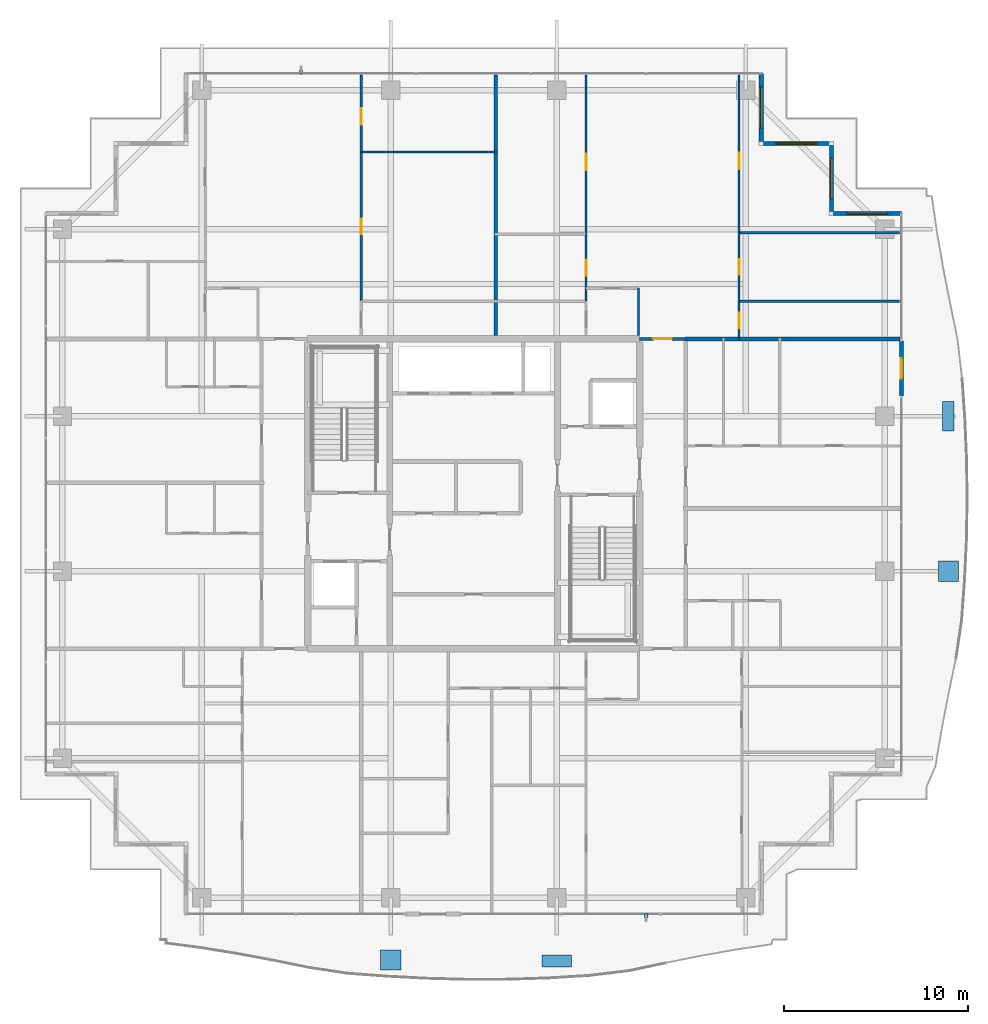
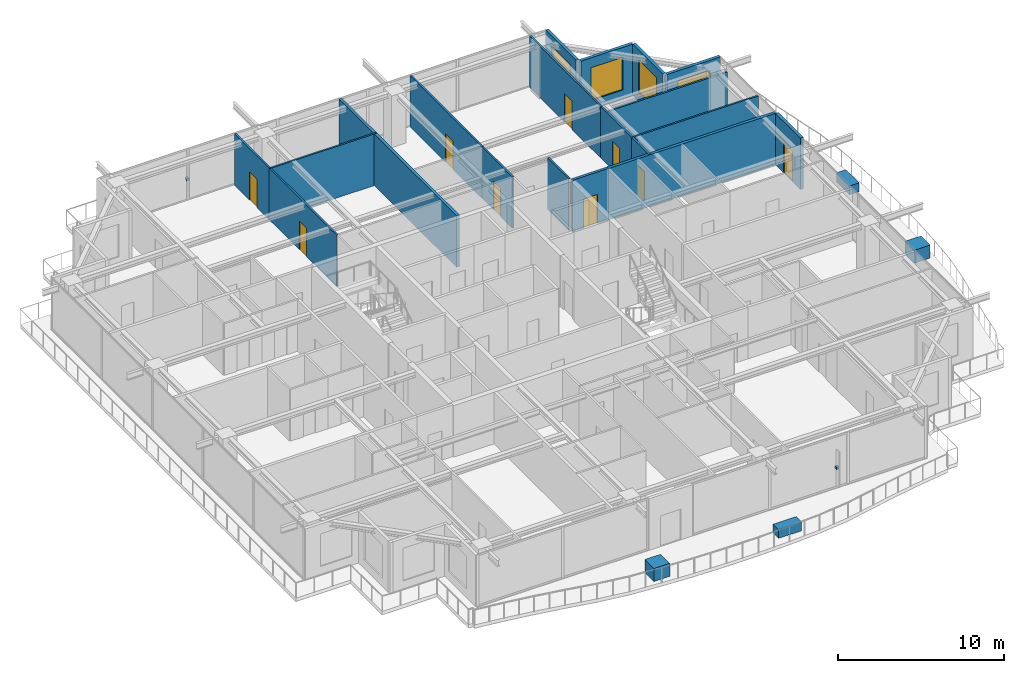
# One storey, part 35 of 42: 19 walls, 9 doors, 6 discrete accessories, 4 windows, 13 openings.
"""IFC4 building model written with IfcOpenShell, lengths in metres."""

import ifcopenshell
import ifcopenshell.guid

model = None  # the IFC model being written
_history = None  # IfcOwnerHistory: only IFC2X3 demands one
_inside = {}  # id of a spatial element -> (the spatial element, [elements in it])
_under = {}  # id of a project, library or spatial element -> (it, [spatial elements below it])
_declared = {}  # id of a project -> (the project, [libraries it declares])
_typed = {}  # id of a type object -> (the type object, [elements of that type])
_made_of = {}  # id of a material, layer set ... -> (it, [elements and type objects made of it])


def new_model(schema):
    """Start an empty IFC model of exactly this schema.

    Asked for "IFC4X3", IfcOpenShell would pick the latest addendum, in which some entities
    have other attributes; the version numbers below select the first issue.
    IFC2X3 requires an IfcOwnerHistory on every rooted entity: one is made here for all.
    """
    global model, _history
    if schema == "IFC4X3":
        model = ifcopenshell.file(schema_version=(4, 3, 0, 0))
    else:
        model = ifcopenshell.file(schema=schema)
    _inside.clear()
    _under.clear()
    _declared.clear()
    _typed.clear()
    _made_of.clear()
    _history = None
    if model.schema == "IFC2X3":
        org = make("IfcOrganization", Name="unknown")
        user = make(
            "IfcPersonAndOrganization",
            ThePerson=make("IfcPerson", FamilyName="unknown"),
            TheOrganization=org,
        )
        app = make(
            "IfcApplication",
            ApplicationDeveloper=org,
            Version="unknown",
            ApplicationFullName="unknown",
            ApplicationIdentifier="unknown",
        )
        _history = make(
            "IfcOwnerHistory",
            OwningUser=user,
            OwningApplication=app,
            ChangeAction="ADDED",
            CreationDate=0,
        )
    return model


def make(cls, **values):
    """One entity of the class cls with the attributes given. An attribute that is None is left unset."""
    return model.create_entity(
        cls, **{name: value for name, value in values.items() if value is not None}
    )


def rooted(cls, **values):
    """An entity with a GlobalId (a new one), such as an element, a storey or a relation."""
    return make(cls, GlobalId=ifcopenshell.guid.new(), OwnerHistory=_history, **values)


def si_unit(unit_type, name, prefix=None):
    """IfcSIUnit, for example si_unit("LENGTHUNIT", "METRE", prefix="MILLI")."""
    return make("IfcSIUnit", UnitType=unit_type, Prefix=prefix, Name=name)


def assignment(units):
    """IfcUnitAssignment: the units of a project."""
    return None if units is None else make("IfcUnitAssignment", Units=units)


def point(xyz):
    """IfcCartesianPoint."""
    return None if xyz is None else make("IfcCartesianPoint", Coordinates=xyz)


def direction(xyz):
    """IfcDirection."""
    return None if xyz is None else make("IfcDirection", DirectionRatios=xyz)


def frame(location, z_axis=None, x_axis=None):
    """IfcAxis2Placement3D, a coordinate frame: its origin and axes. An axis left out is left unset."""
    return make(
        "IfcAxis2Placement3D",
        Location=point(location),
        Axis=direction(z_axis),
        RefDirection=direction(x_axis),
    )


def frame_2d(location, x_axis=None):
    """IfcAxis2Placement2D, a coordinate frame in the plane: its origin and x axis."""
    return make(
        "IfcAxis2Placement2D", Location=point(location), RefDirection=direction(x_axis)
    )


def origin():
    """The frame at (0, 0, 0) with its axes left unset."""
    return frame((0.0, 0.0, 0.0))


def origin_2d():
    """The frame at (0, 0) in the plane with its x axis left unset."""
    return frame_2d((0.0, 0.0))


def place(relative_to, where):
    """IfcLocalPlacement: puts the frame where relative to a parent placement (None: the world)."""
    return make(
        "IfcLocalPlacement", PlacementRelTo=relative_to, RelativePlacement=where
    )


def context(
    kind, dimensions, precision=None, world=None, true_north=None, identifier=None
):
    """IfcGeometricRepresentationContext, for example the 3D "Model" context."""
    return make(
        "IfcGeometricRepresentationContext",
        ContextIdentifier=identifier,
        ContextType=kind,
        CoordinateSpaceDimension=dimensions,
        Precision=precision,
        WorldCoordinateSystem=world,
        TrueNorth=true_north,
    )


def subcontext(parent, identifier, kind, view, scale=None):
    """IfcGeometricRepresentationSubContext, for example "Body" below "Model"."""
    return make(
        "IfcGeometricRepresentationSubContext",
        ContextIdentifier=identifier,
        ContextType=kind,
        ParentContext=parent,
        TargetScale=scale,
        TargetView=view,
    )


def project(units=None, contexts=None):
    """IfcProject with its units and contexts."""
    return rooted(
        "IfcProject",
        Name="project",
        RepresentationContexts=contexts,
        UnitsInContext=assignment(units),
    )


def spatial(cls, under=None, at=None, **own):
    """A site, building, storey or space (cls), placed at a placement, below another one or the project."""
    s = rooted(cls, ObjectPlacement=at, **own)
    if under is not None:
        _under.setdefault(under.id(), (under, []))[1].append(s)
    return s


def profile(cls, at=None, kind="AREA", **sizes):
    """A parametric profile (cls). Its sizes go by their IFC names, for example OverallWidth=200.0."""
    return make(cls, ProfileType=kind, Position=at, **sizes)


def rectangle(**sizes):
    """IfcRectangleProfileDef."""
    return profile("IfcRectangleProfileDef", **sizes)


def extrude(swept, where, along, depth):
    """IfcExtrudedAreaSolid: the profile swept, set in the frame where, extruded along a direction by depth."""
    return make(
        "IfcExtrudedAreaSolid",
        SweptArea=swept,
        Position=where,
        ExtrudedDirection=direction(along),
        Depth=depth,
    )


def shape(context_of_items, identifier, shape_type, items):
    """IfcShapeRepresentation: the items that make up one representation, for example the "Body"."""
    return make(
        "IfcShapeRepresentation",
        ContextOfItems=context_of_items,
        RepresentationIdentifier=identifier,
        RepresentationType=shape_type,
        Items=items,
    )


def source(mapping_origin, context_of_items, identifier, shape_type, items):
    """IfcRepresentationMap: a shape defined once, which mapped items show again and again."""
    return make(
        "IfcRepresentationMap",
        MappingOrigin=mapping_origin,
        MappedRepresentation=shape(context_of_items, identifier, shape_type, items),
    )


def transform(
    local_origin,
    x_axis=None,
    y_axis=None,
    z_axis=None,
    scale=None,
    scale2=None,
    scale3=None,
    uniform=True,
):
    """IfcCartesianTransformationOperator3D, or its non-uniform kind. x_axis, y_axis, z_axis: its Axis1, 2, 3."""
    if uniform:
        return make(
            "IfcCartesianTransformationOperator3D",
            Axis1=direction(x_axis),
            Axis2=direction(y_axis),
            LocalOrigin=point(local_origin),
            Scale=scale,
            Axis3=direction(z_axis),
        )
    return make(
        "IfcCartesianTransformationOperator3DnonUniform",
        Axis1=direction(x_axis),
        Axis2=direction(y_axis),
        LocalOrigin=point(local_origin),
        Scale=scale,
        Axis3=direction(z_axis),
        Scale2=scale2,
        Scale3=scale3,
    )


def mapped(mapping_source, mapping_target):
    """IfcMappedItem: shows the shape of a source again, moved by a transform."""
    return make(
        "IfcMappedItem", MappingSource=mapping_source, MappingTarget=mapping_target
    )


def material(Name=None, Category=None):
    """IfcMaterial."""
    return make("IfcMaterial", Name=Name, Category=Category)


def layer(
    of_material, thickness, ventilated=None, Name=None, Category=None, Priority=None
):
    """IfcMaterialLayer: one layer of a wall or slab, of a material (None: an air gap)."""
    return make(
        "IfcMaterialLayer",
        Material=of_material,
        LayerThickness=thickness,
        IsVentilated=ventilated,
        Name=Name,
        Category=Category,
        Priority=Priority,
    )


def layer_set(layers, Name=None):
    """IfcMaterialLayerSet."""
    return make("IfcMaterialLayerSet", MaterialLayers=layers, LayerSetName=Name)


def made_of(thing, what):
    """Note that an element or type object is made of a material, layer set ...; save() writes the relation."""
    if what is not None:
        _made_of.setdefault(what.id(), (what, []))[1].append(thing)
    return thing


def type_object(cls, material=None, **own):
    """A type object (cls), such as IfcWallType, which elements share."""
    return made_of(rooted(cls, **own), material)


def element(
    cls,
    number,
    at=None,
    inside=None,
    cuts=None,
    type_object=None,
    material=None,
    context=None,
    identifier="Body",
    shape_type=None,
    held_by="IfcProductDefinitionShape",
    body=None,
    shapes=None,
    **own,
):
    """One element of the class cls, such as IfcWall. Its Tag is "e" and its number.

    at: its placement. inside: the storey or other place that contains it. cuts: it is an
    opening in that element (IfcRelVoidsElement). A single representation is given by context,
    identifier, shape_type and body (its items); several are given by shapes. held_by: the class
    of the entity that holds the representations. save() writes the other relations.
    """
    e = rooted(cls, Tag="e%d" % number, ObjectPlacement=at, **own)
    if body is not None:
        shapes = [shape(context, identifier, shape_type, body)]
    if shapes is not None:
        e.Representation = make(held_by, Representations=shapes)
    if inside is not None:
        _inside.setdefault(inside.id(), (inside, []))[1].append(e)
    if cuts is not None:
        rooted(
            "IfcRelVoidsElement", RelatingBuildingElement=cuts, RelatedOpeningElement=e
        )
    if type_object is not None:
        _typed.setdefault(type_object.id(), (type_object, []))[1].append(e)
    return made_of(e, material)


def fill(opening, filler):
    """IfcRelFillsElement: the door or window that sits in an opening."""
    return rooted(
        "IfcRelFillsElement",
        RelatingOpeningElement=opening,
        RelatedBuildingElement=filler,
    )


def aggregate(whole, parts):
    """IfcRelAggregates: a whole, such as a stair, and the parts it consists of."""
    return rooted("IfcRelAggregates", RelatingObject=whole, RelatedObjects=parts)


def save(model, path):
    """Write the relations noted so far, then the file.

    IfcRelAggregates (storeys below a building ...), IfcRelContainedInSpatialStructure (elements
    in a storey), IfcRelDefinesByType, IfcRelAssociatesMaterial and IfcRelDeclares: one each for
    every whole, place, type object, material and project.
    """
    for whole, parts in _under.values():
        aggregate(whole, parts)
    for where, things in _inside.values():
        rooted(
            "IfcRelContainedInSpatialStructure",
            RelatedElements=things,
            RelatingStructure=where,
        )
    for kind, things in _typed.values():
        rooted("IfcRelDefinesByType", RelatedObjects=things, RelatingType=kind)
    for what, things in _made_of.values():
        rooted("IfcRelAssociatesMaterial", RelatedObjects=things, RelatingMaterial=what)
    for by, libraries in _declared.values():
        rooted("IfcRelDeclares", RelatingContext=by, RelatedDefinitions=libraries)
    model.write(path)


model = new_model("IFC4")

# Units and contexts
model_context = context("Model", 3, precision=1e-05, world=origin(), true_north=direction((0.0, 1.0)))
body_context = subcontext(model_context, "Body", "Model", "MODEL_VIEW")
ifc_project = project(units=[si_unit("LENGTHUNIT", "METRE"), si_unit("AREAUNIT", "SQUARE_METRE"), si_unit("VOLUMEUNIT", "CUBIC_METRE"), si_unit("PLANEANGLEUNIT", "RADIAN"), si_unit("MASSUNIT", "GRAM", prefix="KILO")], contexts=[model_context])

# Site, building, storey
site_placement = place(None, origin())
site = spatial("IfcSite", under=ifc_project, at=site_placement, CompositionType="ELEMENT")
building_placement = place(site_placement, origin())
building = spatial("IfcBuilding", under=site, at=building_placement, Name="Serunith Strait Residences", CompositionType="ELEMENT")
storey_placement = place(building_placement, frame((0.0, 0.0, 325.85009765625)))
storey = spatial("IfcBuildingStorey", under=building, at=storey_placement, Name="L81", CompositionType="ELEMENT", Elevation=325.85009765625)

# Wall, opening, door
ifc_material_1 = material(Name="Pale-Champagne Aluminium Insulated Panel", Category="aluminium")
ifc_layer_1 = layer(ifc_material_1, 0.219970703125, Name="Pale-Champagne Aluminium Insulated Panel")
ifc_layer_set_1 = layer_set([ifc_layer_1], Name="Pale-Champagne Aluminium Insulated Panel")
wall_type_1 = type_object("IfcWallType", Name="EW-ALUM-220", PredefinedType="ELEMENTEDWALL", material=ifc_layer_set_1)
wall_1_placement = place(storey_placement, frame((55.60009765625, 30.5, 0.0), z_axis=(0.0, 0.0, 1.0), x_axis=(0.0, 1.0, 0.0)))
wall_1 = element("IfcWall", 1, at=wall_1_placement, inside=storey, type_object=wall_type_1, Name="L81 E Facade Pier Wall", PredefinedType="ELEMENTEDWALL", context=body_context, shape_type="SweptSolid", body=[
    extrude(rectangle(XDim=3.0, YDim=0.219970703125, at=frame_2d((1.5, 0.0))), origin(), (0.0, 0.0, 1.0), 3.77490234375),
])
opening_1_placement = place(wall_1_placement, frame((0.949951171875, 0.0, 0.0)))
opening_1 = element("IfcOpeningElement", 2, at=opening_1_placement, cuts=wall_1, Name="Opening ED-03", PredefinedType="OPENING", context=body_context, shape_type="SweptSolid", body=[
    extrude(rectangle(XDim=1.10009765625, YDim=2.199951171875, at=frame_2d((0.550048828125, 1.10009765625))), frame((0.0, 0.1201171875, 0.0), z_axis=(0.0, -1.0, 0.0), x_axis=(1.0, 0.0, 0.0)), (0.0, 0.0, 1.0), 0.239990234375),
])
ifc_material_2 = material(Name="Thermally-Broken Aluminium Glazed Balcony Door", Category="aluminium")
door_type_1 = type_object("IfcDoorType", Name="ED-BALC-1100", OperationType="NOTDEFINED", PredefinedType="DOOR", material=ifc_material_2)
shared_shape_1 = source(origin(), body_context, "Body", "SweptSolid", [
    extrude(rectangle(XDim=1.10009765625, YDim=2.199951171875, at=frame_2d((0.550048828125, 1.10009765625))), frame((0.0, 0.02490234375, 0.0), z_axis=(0.0, -1.0, 0.0), x_axis=(1.0, 0.0, 0.0)), (0.0, 0.0, 1.0), 0.050048828125),
])
door_1_placement = place(opening_1_placement, origin())
door_1 = element("IfcDoor", 3, at=door_1_placement, inside=storey, type_object=door_type_1, Name="L81 E Vertical-Forest Balcony Door", OperationType="SINGLE_SWING_RIGHT", OverallHeight=2.199951171875, OverallWidth=1.10009765625, PredefinedType="DOOR", context=body_context, shape_type="MappedRepresentation", body=[
    mapped(shared_shape_1, transform((0.0, 0.0, 0.0), scale=1.0)),
])
fill(opening_1, door_1)

# Wall, opening, window
wall_2_placement = place(storey_placement, frame((55.60009765625, 40.39990234375, 0.0), z_axis=(0.0, 0.0, 1.0), x_axis=(-1.0, 0.0, 0.0)))
wall_2 = element("IfcWall", 4, at=wall_2_placement, inside=storey, type_object=wall_type_1, Name="L81 Girih Serrated Corner Wall 07", PredefinedType="ELEMENTEDWALL", context=body_context, shape_type="SweptSolid", body=[
    extrude(rectangle(XDim=3.690185546875, YDim=0.219970703125, at=frame_2d((1.84521484375, 0.0))), origin(), (0.0, 0.0, 1.0), 3.77490234375),
])
opening_2_placement = place(wall_2_placement, frame((0.7451171875, 0.0, 0.64990234375)))
opening_2 = element("IfcOpeningElement", 5, at=opening_2_placement, cuts=wall_2, Name="Opening W-06", PredefinedType="OPENING", context=body_context, shape_type="SweptSolid", body=[
    extrude(rectangle(XDim=2.199951171875, YDim=2.39990234375, at=frame_2d((1.10009765625, 1.199951171875))), frame((0.0, 0.1201171875, 0.0), z_axis=(0.0, -1.0, 0.0), x_axis=(1.0, 0.0, 0.0)), (0.0, 0.0, 1.0), 0.239990234375),
])
ifc_material_3 = material(Name="Crown Penthouse Low-E Operable Window Glass", Category="glass")
window_type = type_object("IfcWindowType", Name="WIN-C6", PartitioningType="TRIPLE_PANEL_VERTICAL", PredefinedType="WINDOW", material=ifc_material_3)
shared_shape_2 = source(origin(), body_context, "Body", "SweptSolid", [
    extrude(rectangle(XDim=2.199951171875, YDim=2.39990234375, at=frame_2d((1.10009765625, 1.199951171875))), frame((0.0, 0.030029296875, 0.0), z_axis=(0.0, -1.0, 0.0), x_axis=(1.0, 0.0, 0.0)), (0.0, 0.0, 1.0), 0.06005859375),
])
window_1_placement = place(opening_2_placement, origin())
window_1 = element("IfcWindow", 6, at=window_1_placement, inside=storey, type_object=window_type, Name="L81 Corner Operable Fritted Window 07", OverallHeight=2.39990234375, OverallWidth=2.199951171875, PartitioningType="SINGLE_PANEL", PredefinedType="WINDOW", context=body_context, shape_type="MappedRepresentation", body=[
    mapped(shared_shape_2, transform((0.0, 0.0, 0.0), scale=1.0)),
])
fill(opening_2, window_1)

wall_3_placement = place(storey_placement, frame((51.800048828125, 40.510009765625, 0.0), z_axis=(0.0, 0.0, 1.0), x_axis=(0.0, 1.0, 0.0)))
wall_3 = element("IfcWall", 7, at=wall_3_placement, inside=storey, type_object=wall_type_1, Name="L81 Girih Serrated Corner Wall 08", PredefinedType="ELEMENTEDWALL", context=body_context, shape_type="SweptSolid", body=[
    extrude(rectangle(XDim=3.580078125, YDim=0.219970703125, at=frame_2d((1.7900390625, 0.0))), origin(), (0.0, 0.0, 1.0), 3.77490234375),
])
opening_3_placement = place(wall_3_placement, frame((0.68994140625, 0.0, 0.64990234375)))
opening_3 = element("IfcOpeningElement", 8, at=opening_3_placement, cuts=wall_3, Name="Opening W-06", PredefinedType="OPENING", context=body_context, shape_type="SweptSolid", body=[
    extrude(rectangle(XDim=2.199951171875, YDim=2.39990234375, at=frame_2d((1.10009765625, 1.199951171875))), frame((0.0, 0.1201171875, 0.0), z_axis=(0.0, -1.0, 0.0), x_axis=(1.0, 0.0, 0.0)), (0.0, 0.0, 1.0), 0.239990234375),
])
window_2_placement = place(opening_3_placement, origin())
window_2 = element("IfcWindow", 9, at=window_2_placement, inside=storey, type_object=window_type, Name="L81 Corner Operable Fritted Window 08", OverallHeight=2.39990234375, OverallWidth=2.199951171875, PartitioningType="SINGLE_PANEL", PredefinedType="WINDOW", context=body_context, shape_type="MappedRepresentation", body=[
    mapped(shared_shape_2, transform((0.0, 0.0, 0.0), scale=1.0)),
])
fill(opening_3, window_2)

wall_4_placement = place(storey_placement, frame((51.68994140625, 44.199951171875, 0.0), z_axis=(0.0, 0.0, 1.0), x_axis=(-1.0, 0.0, 0.0)))
wall_4 = element("IfcWall", 10, at=wall_4_placement, inside=storey, type_object=wall_type_1, Name="L81 Girih Serrated Corner Wall 09", PredefinedType="ELEMENTEDWALL", context=body_context, shape_type="SweptSolid", body=[
    extrude(rectangle(XDim=3.579833984375, YDim=0.219970703125, at=frame_2d((1.7900390625, 0.0))), origin(), (0.0, 0.0, 1.0), 3.77490234375),
])
opening_4_placement = place(wall_4_placement, frame((0.68994140625, 0.0, 0.64990234375)))
opening_4 = element("IfcOpeningElement", 11, at=opening_4_placement, cuts=wall_4, Name="Opening W-06", PredefinedType="OPENING", context=body_context, shape_type="SweptSolid", body=[
    extrude(rectangle(XDim=2.199951171875, YDim=2.39990234375, at=frame_2d((1.10009765625, 1.199951171875))), frame((0.0, 0.1201171875, 0.0), z_axis=(0.0, -1.0, 0.0), x_axis=(1.0, 0.0, 0.0)), (0.0, 0.0, 1.0), 0.239990234375),
])
window_3_placement = place(opening_4_placement, origin())
window_3 = element("IfcWindow", 12, at=window_3_placement, inside=storey, type_object=window_type, Name="L81 Corner Operable Fritted Window 09", OverallHeight=2.39990234375, OverallWidth=2.199951171875, PartitioningType="SINGLE_PANEL", PredefinedType="WINDOW", context=body_context, shape_type="MappedRepresentation", body=[
    mapped(shared_shape_2, transform((0.0, 0.0, 0.0), scale=1.0)),
])
fill(opening_4, window_3)

wall_5_placement = place(storey_placement, frame((48.0, 44.31005859375, 0.0), z_axis=(0.0, 0.0, 1.0), x_axis=(0.0, 1.0, 0.0)))
wall_5 = element("IfcWall", 13, at=wall_5_placement, inside=storey, type_object=wall_type_1, Name="L81 Girih Serrated Corner Wall 10", PredefinedType="ELEMENTEDWALL", context=body_context, shape_type="SweptSolid", body=[
    extrude(rectangle(XDim=3.68994140625, YDim=0.219970703125, at=frame_2d((1.844970703125, 0.0))), origin(), (0.0, 0.0, 1.0), 3.77490234375),
])
opening_5_placement = place(wall_5_placement, frame((0.7451171875, 0.0, 0.64990234375)))
opening_5 = element("IfcOpeningElement", 14, at=opening_5_placement, cuts=wall_5, Name="Opening W-06", PredefinedType="OPENING", context=body_context, shape_type="SweptSolid", body=[
    extrude(rectangle(XDim=2.199951171875, YDim=2.39990234375, at=frame_2d((1.10009765625, 1.199951171875))), frame((0.0, 0.1201171875, 0.0), z_axis=(0.0, -1.0, 0.0), x_axis=(1.0, 0.0, 0.0)), (0.0, 0.0, 1.0), 0.239990234375),
])
window_4_placement = place(opening_5_placement, origin())
window_4 = element("IfcWindow", 15, at=window_4_placement, inside=storey, type_object=window_type, Name="L81 Corner Operable Fritted Window 10", OverallHeight=2.39990234375, OverallWidth=2.199951171875, PartitioningType="SINGLE_PANEL", PredefinedType="WINDOW", context=body_context, shape_type="MappedRepresentation", body=[
    mapped(shared_shape_2, transform((0.0, 0.0, 0.0), scale=1.0)),
])
fill(opening_5, window_4)

# Wall, opening, door
ifc_material_4 = material(Name="Fire-rated acoustic gypsum partition")
ifc_layer_2 = layer(ifc_material_4, 0.179931640625, Name="Fire-rated acoustic gypsum partition")
ifc_layer_set_2 = layer_set([ifc_layer_2], Name="Fire-rated acoustic gypsum partition")
wall_type_2 = type_object("IfcWallType", Name="IW-CORR-180", PredefinedType="PARTITIONING", material=ifc_layer_set_2)
wall_6_placement = place(storey_placement, frame((41.402099609375, 33.60009765625, 0.0), z_axis=(0.0, 0.0, 1.0), x_axis=(1.0, 0.0, 0.0)))
wall_6 = element("IfcWall", 16, at=wall_6_placement, inside=storey, type_object=wall_type_2, Name="L81 Partition Wall 030", PredefinedType="PARTITIONING", context=body_context, shape_type="SweptSolid", body=[
    extrude(rectangle(XDim=2.495849609375, YDim=0.179931640625, at=frame_2d((1.248046875, 0.0))), origin(), (0.0, 0.0, 1.0), 3.789794921875),
])
opening_6_placement = place(wall_6_placement, frame((0.748046875, 0.0, 0.0)))
opening_6 = element("IfcOpeningElement", 17, at=opening_6_placement, cuts=wall_6, Name="Opening D-APT1000", PredefinedType="OPENING", context=body_context, shape_type="SweptSolid", body=[
    extrude(rectangle(XDim=1.0, YDim=2.14990234375, at=frame_2d((0.5, 1.074951171875))), frame((0.0, 0.10009765625, 0.0), z_axis=(0.0, -1.0, 0.0), x_axis=(1.0, 0.0, 0.0)), (0.0, 0.0, 1.0), 0.199951171875),
])
ifc_material_5 = material(Name="Solid timber engineered fire door", Category="wood")
door_type_2 = type_object("IfcDoorType", Name="ID-APT-1000", OperationType="NOTDEFINED", PredefinedType="DOOR", material=ifc_material_5)
shared_shape_3 = source(origin(), body_context, "Body", "SweptSolid", [
    extrude(rectangle(XDim=1.0, YDim=2.14990234375, at=frame_2d((0.5, 1.074951171875))), frame((0.0, 0.02490234375, 0.0), z_axis=(0.0, -1.0, 0.0), x_axis=(1.0, 0.0, 0.0)), (0.0, 0.0, 1.0), 0.050048828125),
])
door_2_placement = place(opening_6_placement, origin())
door_2 = element("IfcDoor", 18, at=door_2_placement, inside=storey, type_object=door_type_2, Name="L81 Unit 04 Entrance Door", OperationType="SINGLE_SWING_RIGHT", OverallHeight=2.14990234375, OverallWidth=1.0, PredefinedType="DOOR", context=body_context, shape_type="MappedRepresentation", body=[
    mapped(shared_shape_3, transform((0.0, 0.0, 0.0), scale=1.0)),
])
fill(opening_6, door_2)

ifc_material_6 = material(Name="Lightweight steel-stud gypsum partition", Category="steel")
ifc_layer_3 = layer(ifc_material_6, 0.1201171875, Name="Lightweight steel-stud gypsum partition")
ifc_layer_set_3 = layer_set([ifc_layer_3], Name="Lightweight steel-stud gypsum partition")
wall_type_3 = type_object("IfcWallType", Name="IW-PART-120", PredefinedType="PARTITIONING", material=ifc_layer_set_3)
wall_7_placement = place(storey_placement, frame((26.300048828125, 47.905029296875, 0.0), z_axis=(0.0, 0.0, 1.0), x_axis=(0.0, -1.0, 0.0)))
wall_7 = element("IfcWall", 19, at=wall_7_placement, inside=storey, type_object=wall_type_3, Name="L81 Partition Wall 068", PredefinedType="PARTITIONING", context=body_context, shape_type="SweptSolid", body=[
    extrude(rectangle(XDim=4.1640625, YDim=0.1201171875, at=frame_2d((2.08203125, 0.0))), origin(), (0.0, 0.0, 1.0), 3.789794921875),
])
opening_7_placement = place(wall_7_placement, frame((1.794921875, 0.0, 0.0)))
opening_7 = element("IfcOpeningElement", 20, at=opening_7_placement, cuts=wall_7, Name="Opening D-RM900", PredefinedType="OPENING", context=body_context, shape_type="SweptSolid", body=[
    extrude(rectangle(XDim=0.89990234375, YDim=2.10009765625, at=frame_2d((0.449951171875, 1.050048828125))), frame((0.0, 0.070068359375, 0.0), z_axis=(0.0, -1.0, 0.0), x_axis=(1.0, 0.0, 0.0)), (0.0, 0.0, 1.0), 0.14013671875),
])
ifc_material_7 = material(Name="Engineered timber flush bedroom door", Category="wood")
door_type_3 = type_object("IfcDoorType", Name="ID-ROOM-900", OperationType="NOTDEFINED", PredefinedType="DOOR", material=ifc_material_7)
shared_shape_4 = source(origin(), body_context, "Body", "SweptSolid", [
    extrude(rectangle(XDim=0.89990234375, YDim=2.10009765625, at=frame_2d((0.449951171875, 1.050048828125))), frame((0.0, 0.02490234375, 0.0), z_axis=(0.0, -1.0, 0.0), x_axis=(1.0, 0.0, 0.0)), (0.0, 0.0, 1.0), 0.050048828125),
])
door_3_placement = place(opening_7_placement, origin())
door_3 = element("IfcDoor", 21, at=door_3_placement, inside=storey, type_object=door_type_3, Name="L81 Bedroom 2 8103 Door", OperationType="SINGLE_SWING_RIGHT", OverallHeight=2.10009765625, OverallWidth=0.89990234375, PredefinedType="DOOR", context=body_context, shape_type="MappedRepresentation", body=[
    mapped(shared_shape_4, transform((0.0, 0.0, 0.0), scale=1.0)),
])
fill(opening_7, door_3)

# Wall
wall_8_placement = place(storey_placement, frame((26.300048828125, 43.740966796875, 0.0), z_axis=(0.0, 0.0, 1.0), x_axis=(1.0, 0.0, 0.0)))
element("IfcWall", 22, at=wall_8_placement, inside=storey, type_object=wall_type_3, Name="L81 Partition Wall 069", PredefinedType="PARTITIONING", context=body_context, shape_type="SweptSolid", body=[
    extrude(rectangle(XDim=7.35986328125, YDim=0.1201171875, at=frame_2d((3.679931640625, 0.0))), origin(), (0.0, 0.0, 1.0), 3.789794921875),
])

# Wall, opening, door
wall_9_placement = place(storey_placement, frame((26.300048828125, 43.739013671875, 0.0), z_axis=(0.0, 0.0, 1.0), x_axis=(0.0, -1.0, 0.0)))
wall_9 = element("IfcWall", 23, at=wall_9_placement, inside=storey, type_object=wall_type_3, Name="L81 Partition Wall 071", PredefinedType="PARTITIONING", context=body_context, shape_type="SweptSolid", body=[
    extrude(rectangle(XDim=8.089111328125, YDim=0.1201171875, at=frame_2d((4.04443359375, 0.0))), origin(), (0.0, 0.0, 1.0), 3.789794921875),
])
opening_8_placement = place(wall_9_placement, frame((3.618896484375, 0.0, 0.0)))
opening_8 = element("IfcOpeningElement", 24, at=opening_8_placement, cuts=wall_9, Name="Opening D-RM850", PredefinedType="OPENING", context=body_context, shape_type="SweptSolid", body=[
    extrude(rectangle(XDim=0.85009765625, YDim=2.10009765625, at=frame_2d((0.425048828125, 1.050048828125))), frame((0.0, 0.070068359375, 0.0), z_axis=(0.0, -1.0, 0.0), x_axis=(1.0, 0.0, 0.0)), (0.0, 0.0, 1.0), 0.14013671875),
])
ifc_material_8 = material(Name="Engineered timber flush study and kitchen door", Category="wood")
door_type_4 = type_object("IfcDoorType", Name="ID-ROOM-850", OperationType="NOTDEFINED", PredefinedType="DOOR", material=ifc_material_8)
shared_shape_5 = source(origin(), body_context, "Body", "SweptSolid", [
    extrude(rectangle(XDim=0.85009765625, YDim=2.10009765625, at=frame_2d((0.425048828125, 1.050048828125))), frame((0.0, 0.02490234375, 0.0), z_axis=(0.0, -1.0, 0.0), x_axis=(1.0, 0.0, 0.0)), (0.0, 0.0, 1.0), 0.050048828125),
])
door_4_placement = place(opening_8_placement, origin())
door_4 = element("IfcDoor", 25, at=door_4_placement, inside=storey, type_object=door_type_4, Name="L81 Walk-in Wardrobe 8103 Door", OperationType="SINGLE_SWING_LEFT", OverallHeight=2.10009765625, OverallWidth=0.85009765625, PredefinedType="DOOR", context=body_context, shape_type="MappedRepresentation", body=[
    mapped(shared_shape_5, transform((0.0, 0.0, 0.0), scale=1.0)),
])
fill(opening_8, door_4)

# Wall
wall_10_placement = place(storey_placement, frame((41.35009765625, 36.35009765625, 0.0), z_axis=(0.0, 0.0, 1.0), x_axis=(0.0, -1.0, 0.0)))
element("IfcWall", 26, at=wall_10_placement, inside=storey, type_object=wall_type_3, Name="L81 Partition Wall 074", PredefinedType="PARTITIONING", context=body_context, shape_type="SweptSolid", body=[
    extrude(rectangle(XDim=2.5751953125, YDim=0.1201171875, at=frame_2d((1.28759765625, 0.0))), origin(), (0.0, 0.0, 1.0), 3.789794921875),
])

# Wall, opening, door
wall_11_placement = place(storey_placement, frame((38.5, 47.905029296875, 0.0), z_axis=(0.0, 0.0, 1.0), x_axis=(0.0, -1.0, 0.0)))
wall_11 = element("IfcWall", 27, at=wall_11_placement, inside=storey, type_object=wall_type_3, Name="L81 Partition Wall 075", PredefinedType="PARTITIONING", context=body_context, shape_type="SweptSolid", body=[
    extrude(rectangle(XDim=8.629150390625, YDim=0.1201171875, at=frame_2d((4.314453125, 0.0))), origin(), (0.0, 0.0, 1.0), 3.789794921875),
])
opening_9_placement = place(wall_11_placement, frame((4.2509765625, 0.0, 0.0)))
opening_9 = element("IfcOpeningElement", 28, at=opening_9_placement, cuts=wall_11, Name="Opening D-RM900", PredefinedType="OPENING", context=body_context, shape_type="SweptSolid", body=[
    extrude(rectangle(XDim=0.89990234375, YDim=2.10009765625, at=frame_2d((0.449951171875, 1.050048828125))), frame((0.0, 0.070068359375, 0.0), z_axis=(0.0, -1.0, 0.0), x_axis=(1.0, 0.0, 0.0)), (0.0, 0.0, 1.0), 0.14013671875),
])
door_5_placement = place(opening_9_placement, origin())
door_5 = element("IfcDoor", 29, at=door_5_placement, inside=storey, type_object=door_type_3, Name="L81 Master Bedroom 1 8104 Door", OperationType="SINGLE_SWING_RIGHT", OverallHeight=2.10009765625, OverallWidth=0.89990234375, PredefinedType="DOOR", context=body_context, shape_type="MappedRepresentation", body=[
    mapped(shared_shape_4, transform((0.0, 0.0, 0.0), scale=1.0)),
])
fill(opening_9, door_5)

wall_12_placement = place(storey_placement, frame((38.5, 39.27392578125, 0.0), z_axis=(0.0, 0.0, 1.0), x_axis=(0.0, -1.0, 0.0)))
wall_12 = element("IfcWall", 30, at=wall_12_placement, inside=storey, type_object=wall_type_3, Name="L81 Partition Wall 078", PredefinedType="PARTITIONING", context=body_context, shape_type="SweptSolid", body=[
    extrude(rectangle(XDim=3.6240234375, YDim=0.1201171875, at=frame_2d((1.81201171875, 0.0))), origin(), (0.0, 0.0, 1.0), 3.789794921875),
])
opening_10_placement = place(wall_12_placement, frame((1.386962890625, 0.0, 0.0)))
opening_10 = element("IfcOpeningElement", 31, at=opening_10_placement, cuts=wall_12, Name="Opening D-RM850", PredefinedType="OPENING", context=body_context, shape_type="SweptSolid", body=[
    extrude(rectangle(XDim=0.85009765625, YDim=2.10009765625, at=frame_2d((0.425048828125, 1.050048828125))), frame((0.0, 0.070068359375, 0.0), z_axis=(0.0, -1.0, 0.0), x_axis=(1.0, 0.0, 0.0)), (0.0, 0.0, 1.0), 0.14013671875),
])
door_6_placement = place(opening_10_placement, origin())
door_6 = element("IfcDoor", 32, at=door_6_placement, inside=storey, type_object=door_type_4, Name="L81 Study 8104 Door", OperationType="SINGLE_SWING_LEFT", OverallHeight=2.10009765625, OverallWidth=0.85009765625, PredefinedType="DOOR", context=body_context, shape_type="MappedRepresentation", body=[
    mapped(shared_shape_5, transform((0.0, 0.0, 0.0), scale=1.0)),
])
fill(opening_10, door_6)

wall_13_placement = place(storey_placement, frame((46.800048828125, 47.905029296875, 0.0), z_axis=(0.0, 0.0, 1.0), x_axis=(0.0, -1.0, 0.0)))
wall_13 = element("IfcWall", 33, at=wall_13_placement, inside=storey, type_object=wall_type_3, Name="L81 Partition Wall 080", PredefinedType="PARTITIONING", context=body_context, shape_type="SweptSolid", body=[
    extrude(rectangle(XDim=8.5400390625, YDim=0.1201171875, at=frame_2d((4.27001953125, 0.0))), origin(), (0.0, 0.0, 1.0), 3.789794921875),
])
opening_11_placement = place(wall_13_placement, frame((4.201904296875, 0.0, 0.0)))
opening_11 = element("IfcOpeningElement", 34, at=opening_11_placement, cuts=wall_13, Name="Opening D-RM900", PredefinedType="OPENING", context=body_context, shape_type="SweptSolid", body=[
    extrude(rectangle(XDim=0.89990234375, YDim=2.10009765625, at=frame_2d((0.449951171875, 1.050048828125))), frame((0.0, 0.070068359375, 0.0), z_axis=(0.0, -1.0, 0.0), x_axis=(1.0, 0.0, 0.0)), (0.0, 0.0, 1.0), 0.14013671875),
])
door_7_placement = place(opening_11_placement, origin())
door_7 = element("IfcDoor", 35, at=door_7_placement, inside=storey, type_object=door_type_3, Name="L81 Bedroom 2 8104 Door", OperationType="SINGLE_SWING_LEFT", OverallHeight=2.10009765625, OverallWidth=0.89990234375, PredefinedType="DOOR", context=body_context, shape_type="MappedRepresentation", body=[
    mapped(shared_shape_4, transform((0.0, 0.0, 0.0), scale=1.0)),
])
fill(opening_11, door_7)

# Walls
wall_14_placement = place(storey_placement, frame((46.800048828125, 39.364990234375, 0.0), z_axis=(0.0, 0.0, 1.0), x_axis=(1.0, 0.0, 0.0)))
element("IfcWall", 36, at=wall_14_placement, inside=storey, type_object=wall_type_3, Name="L81 Partition Wall 081", PredefinedType="PARTITIONING", context=body_context, shape_type="SweptSolid", body=[
    extrude(rectangle(XDim=8.704833984375, YDim=0.1201171875, at=frame_2d((4.3525390625, 0.0))), origin(), (0.0, 0.0, 1.0), 3.2919921875),
])
wall_15_placement = place(storey_placement, frame((46.800048828125, 35.64990234375, 0.0), z_axis=(0.0, 0.0, 1.0), x_axis=(1.0, 0.0, 0.0)))
element("IfcWall", 37, at=wall_15_placement, inside=storey, type_object=wall_type_3, Name="L81 Partition Wall 082", PredefinedType="PARTITIONING", context=body_context, shape_type="SweptSolid", body=[
    extrude(rectangle(XDim=8.704833984375, YDim=0.1201171875, at=frame_2d((4.3525390625, 0.0))), origin(), (0.0, 0.0, 1.0), 3.789794921875),
])

# Wall, opening, door
wall_16_placement = place(storey_placement, frame((46.800048828125, 39.363037109375, 0.0), z_axis=(0.0, 0.0, 1.0), x_axis=(0.0, -1.0, 0.0)))
wall_16 = element("IfcWall", 38, at=wall_16_placement, inside=storey, type_object=wall_type_3, Name="L81 Partition Wall 083", PredefinedType="PARTITIONING", context=body_context, shape_type="SweptSolid", body=[
    extrude(rectangle(XDim=3.713134765625, YDim=0.1201171875, at=frame_2d((1.8564453125, 0.0))), origin(), (0.0, 0.0, 1.0), 3.789794921875),
])
opening_12_placement = place(wall_16_placement, frame((1.431884765625, 0.0, 0.0)))
opening_12 = element("IfcOpeningElement", 39, at=opening_12_placement, cuts=wall_16, Name="Opening D-RM850", PredefinedType="OPENING", context=body_context, shape_type="SweptSolid", body=[
    extrude(rectangle(XDim=0.85009765625, YDim=2.10009765625, at=frame_2d((0.425048828125, 1.050048828125))), frame((0.0, 0.070068359375, 0.0), z_axis=(0.0, -1.0, 0.0), x_axis=(1.0, 0.0, 0.0)), (0.0, 0.0, 1.0), 0.14013671875),
])
door_8_placement = place(opening_12_placement, origin())
door_8 = element("IfcDoor", 40, at=door_8_placement, inside=storey, type_object=door_type_4, Name="L81 Walk-in Wardrobe 8104 Door", OperationType="SINGLE_SWING_RIGHT", OverallHeight=2.10009765625, OverallWidth=0.85009765625, PredefinedType="DOOR", context=body_context, shape_type="MappedRepresentation", body=[
    mapped(shared_shape_5, transform((0.0, 0.0, 0.0), scale=1.0)),
])
fill(opening_12, door_8)

wall_17_placement = place(storey_placement, frame((46.800048828125, 35.64794921875, 0.0), z_axis=(0.0, 0.0, 1.0), x_axis=(0.0, -1.0, 0.0)))
wall_17 = element("IfcWall", 41, at=wall_17_placement, inside=storey, type_object=wall_type_3, Name="L81 Partition Wall 084", PredefinedType="PARTITIONING", context=body_context, shape_type="SweptSolid", body=[
    extrude(rectangle(XDim=2.10791015625, YDim=0.1201171875, at=frame_2d((1.053955078125, 0.0))), origin(), (0.0, 0.0, 1.0), 3.789794921875),
])
opening_13_placement = place(wall_17_placement, frame((0.62890625, 0.0, 0.0)))
opening_13 = element("IfcOpeningElement", 42, at=opening_13_placement, cuts=wall_17, Name="Opening D-BTH850", PredefinedType="OPENING", context=body_context, shape_type="SweptSolid", body=[
    extrude(rectangle(XDim=0.85009765625, YDim=2.10009765625, at=frame_2d((0.425048828125, 1.050048828125))), frame((0.0, 0.070068359375, 0.0), z_axis=(0.0, -1.0, 0.0), x_axis=(1.0, 0.0, 0.0)), (0.0, 0.0, 1.0), 0.14013671875),
])
ifc_material_9 = material(Name="Moisture-resistant timber bathroom door", Category="wood")
door_type_5 = type_object("IfcDoorType", Name="ID-BATH-850", OperationType="NOTDEFINED", PredefinedType="DOOR", material=ifc_material_9)
door_9_placement = place(opening_13_placement, origin())
door_9 = element("IfcDoor", 43, at=door_9_placement, inside=storey, type_object=door_type_5, Name="L81 Bathroom 8104 Door", OperationType="SINGLE_SWING_LEFT", OverallHeight=2.10009765625, OverallWidth=0.85009765625, PredefinedType="DOOR", context=body_context, shape_type="MappedRepresentation", body=[
    mapped(shared_shape_5, transform((0.0, 0.0, 0.0), scale=1.0)),
])
fill(opening_13, door_9)

# Walls
ifc_material_10 = material(Name="Twin-stud acoustic gypsum board partition")
ifc_layer_4 = layer(ifc_material_10, 0.199951171875, Name="Twin-stud acoustic gypsum board partition")
ifc_layer_set_4 = layer_set([ifc_layer_4], Name="Twin-stud acoustic gypsum board partition")
wall_type_4 = type_object("IfcWallType", Name="IW-PARTY-200", PredefinedType="PARTITIONING", material=ifc_layer_set_4)
wall_18_placement = place(storey_placement, frame((33.60009765625, 33.77490234375, 0.0), z_axis=(0.0, 0.0, 1.0), x_axis=(0.0, 1.0, 0.0)))
element("IfcWall", 44, at=wall_18_placement, inside=storey, type_object=wall_type_4, Name="L81 Partition Wall 019", PredefinedType="PARTITIONING", context=body_context, shape_type="SweptSolid", body=[
    extrude(rectangle(XDim=14.14306640625, YDim=0.199951171875, at=frame_2d((7.071533203125, 0.0))), origin(), (0.0, 0.0, 1.0), 3.789794921875),
])
wall_19_placement = place(storey_placement, frame((43.89990234375, 33.60009765625, 0.0), z_axis=(0.0, 0.0, 1.0), x_axis=(1.0, 0.0, 0.0)))
element("IfcWall", 45, at=wall_19_placement, inside=storey, type_object=wall_type_4, Name="L81 Partition Wall 025", PredefinedType="PARTITIONING", context=body_context, shape_type="SweptSolid", body=[
    extrude(rectangle(XDim=11.6181640625, YDim=0.199951171875, at=frame_2d((5.80908203125, 0.0))), origin(), (0.0, 0.0, 1.0), 3.789794921875),
])

# Discrete accessories
ifc_material_11 = material(Name="GFRC Root-Anchored Structural Planter")
discrete_accessory_type_1 = type_object("IfcDiscreteAccessoryType", Name="ACC-PLANTER-TREE", PredefinedType="USERDEFINED", material=ifc_material_11)
shared_shape_6 = source(origin(), body_context, "Body", "SweptSolid", [
    extrude(rectangle(XDim=1.10009765625, YDim=1.10009765625, at=origin_2d()), origin(), (0.0, 0.0, 1.0), 0.949951171875),
])
for number, where, z_axis, x_axis, name in (
    (46, (27.89990234375, -0.0830078125, -0.05029296875), (0.0, 0.0, 1.0), (1.0, 0.0, 0.0), "L81 Vertical-Forest Tree Planter 02"),
    (47, (58.15869140625, 21.0, -0.05029296875), (0.0, 0.0, 1.0), (0.0, 1.0, 0.0), "L81 Vertical-Forest Tree Planter 10"),
):
    element("IfcDiscreteAccessory", number, at=place(storey_placement, frame(where, z_axis=z_axis, x_axis=x_axis)), inside=storey, type_object=discrete_accessory_type_1, Name=name, ObjectType="PLANTER", PredefinedType="USERDEFINED", context=body_context, shape_type="MappedRepresentation", body=[
        mapped(shared_shape_6, transform((0.0, 0.0, 0.0), scale=1.0)),
    ])
ifc_material_12 = material(Name="GFRC Irrigated Shrub Trough Planter")
discrete_accessory_type_2 = type_object("IfcDiscreteAccessoryType", Name="ACC-PLANTER-SHRUB", PredefinedType="USERDEFINED", material=ifc_material_12)
shared_shape_7 = source(origin(), body_context, "Body", "SweptSolid", [
    extrude(rectangle(XDim=1.60009765625, YDim=0.64990234375, at=origin_2d()), origin(), (0.0, 0.0, 1.0), 0.64990234375),
])
for number, where, z_axis, x_axis, name in (
    (48, (36.89990234375, -0.14111328125, -0.050048828125), (0.0, 0.0, 1.0), (1.0, 0.0, 0.0), "L81 Vertical-Forest Shrub Planter 03"),
    (49, (58.14453125, 29.39990234375, -0.050048828125), (0.0, 0.0, 1.0), (0.0, 1.0, 0.0), "L81 Vertical-Forest Shrub Planter 11"),
):
    element("IfcDiscreteAccessory", number, at=place(storey_placement, frame(where, z_axis=z_axis, x_axis=x_axis)), inside=storey, type_object=discrete_accessory_type_2, Name=name, ObjectType="PLANTER", PredefinedType="USERDEFINED", context=body_context, shape_type="MappedRepresentation", body=[
        mapped(shared_shape_7, transform((0.0, 0.0, 0.0), scale=1.0)),
    ])
ifc_material_13 = material(Name="Stainless Steel Facade Cleat Bracket", Category="steel")
discrete_accessory_type_3 = type_object("IfcDiscreteAccessoryType", Name="ACC-FIN-BRACKET", PredefinedType="USERDEFINED", material=ifc_material_13)
shared_shape_8 = source(origin(), body_context, "Body", "SweptSolid", [
    extrude(rectangle(XDim=0.179931640625, YDim=0.219970703125, at=origin_2d()), origin(), (0.0, 0.0, 1.0), 0.179931640625),
])
for number, where, z_axis, x_axis, name in (
    (50, (41.760009765625, 2.320068359375, 1.41015625), (0.0, 0.0, 1.0), (1.0, 0.0, 0.0), "L81 Solar Fin Cleat Bracket S"),
    (51, (23.0400390625, 48.080078125, 1.41015625), (0.0, 0.0, 1.0), (1.0, 0.0, 0.0), "L81 Solar Fin Cleat Bracket N"),
):
    element("IfcDiscreteAccessory", number, at=place(storey_placement, frame(where, z_axis=z_axis, x_axis=x_axis)), inside=storey, type_object=discrete_accessory_type_3, Name=name, ObjectType="BRACKET", PredefinedType="USERDEFINED", context=body_context, shape_type="MappedRepresentation", body=[
        mapped(shared_shape_8, transform((0.0, 0.0, 0.0), scale=1.0)),
    ])

save(model, "model.ifc")
